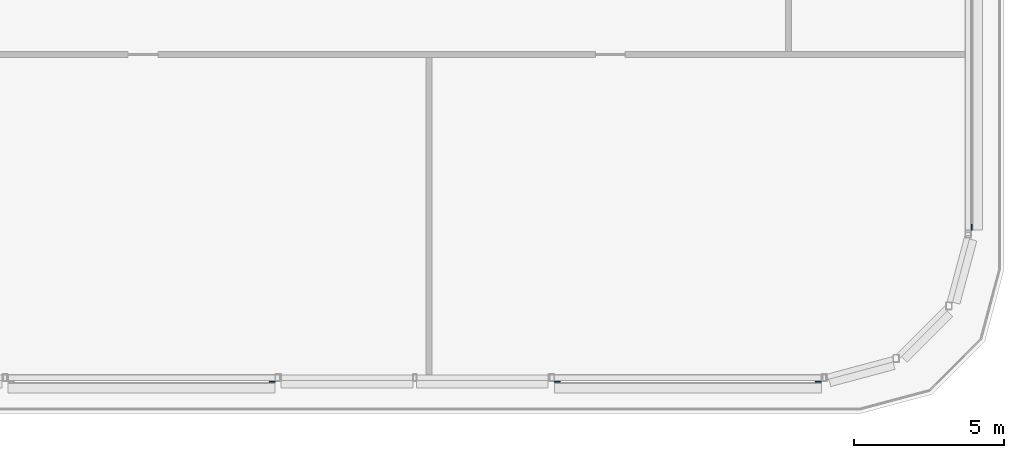
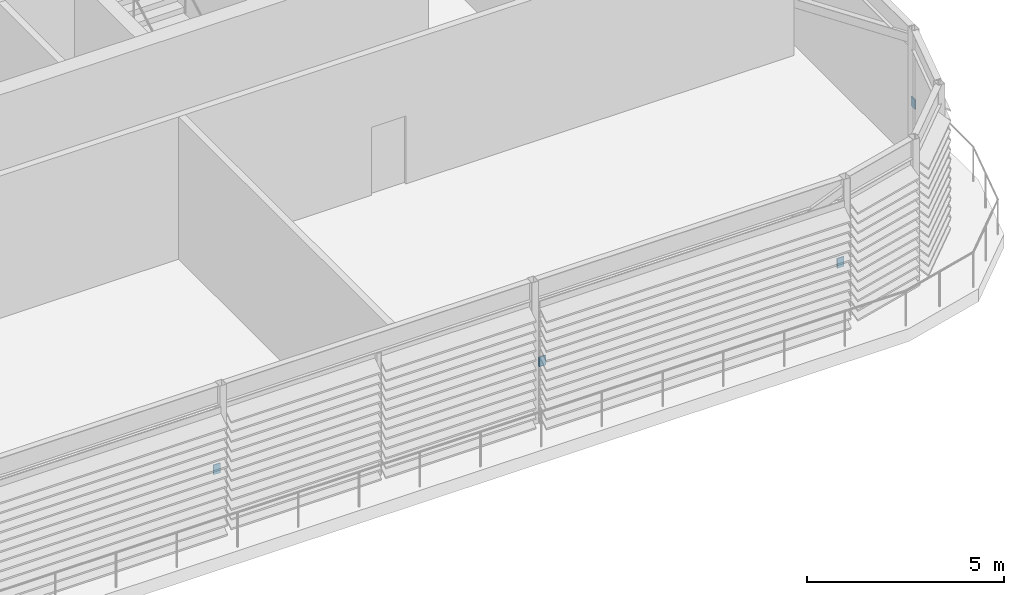
# One storey, part 21 of 29: 4 discrete accessories.
"""IFC4 building model written with IfcOpenShell, lengths in metres."""

from ifc_helpers import new_model, si_unit, direction, frame, origin, origin_2d, place, context, subcontext, project, spatial, rectangle, extrude, material, type_object, element, save


model = new_model("IFC4")

# Units and contexts
model_context = context("Model", 3, precision=1e-05, world=origin(), true_north=direction((0.0, 1.0)))
body_context = subcontext(model_context, "Body", "Model", "MODEL_VIEW")
ifc_project = project(units=[si_unit("LENGTHUNIT", "METRE"), si_unit("AREAUNIT", "SQUARE_METRE"), si_unit("VOLUMEUNIT", "CUBIC_METRE"), si_unit("PLANEANGLEUNIT", "RADIAN"), si_unit("MASSUNIT", "GRAM", prefix="KILO")], contexts=[model_context])

# Site, building, storey
site_placement = place(None, origin())
site = spatial("IfcSite", under=ifc_project, at=site_placement, CompositionType="ELEMENT")
building_placement = place(site_placement, origin())
building = spatial("IfcBuilding", under=site, at=building_placement, Name="Madar Terraces", CompositionType="ELEMENT")
storey_placement = place(building_placement, frame((0.0, 0.0, 296.300048828125)))
storey = spatial("IfcBuildingStorey", under=building, at=storey_placement, Name="L77", CompositionType="ELEMENT", Elevation=296.300048828125)

# Discrete accessories
ifc_material = material(Name="Steel, galvanised", Category="steel")
discrete_accessory_type = type_object("IfcDiscreteAccessoryType", Name="Louvre bank bracket", PredefinedType="BRACKET", material=ifc_material)
for number, where, z_axis, x_axis, name in (
    (1, (33.158447265625, 1.05810546875, 1.7490234375), (0.0, 0.0, 1.0), (1.0, 0.0, 0.0), "Louvre bank bracket"),
    (2, (42.681640625, 1.05810546875, 1.7490234375), (0.0, 0.0, 1.0), (1.0, 0.0, 0.0), "Louvre bank bracket"),
    (3, (51.3984375, 1.05810546875, 1.7490234375), (0.0, 0.0, 1.0), (1.0, 0.0, 0.0), "Louvre bank bracket"),
    (4, (56.5166015625, 6.22705078125, 1.7490234375), (0.0, 0.0, 1.0), (0.0, 1.0, 0.0), "Louvre bank bracket"),
):
    element("IfcDiscreteAccessory", number, at=place(storey_placement, frame(where, z_axis=z_axis, x_axis=x_axis)), inside=storey, type_object=discrete_accessory_type, Name=name, PredefinedType="BRACKET", context=body_context, shape_type="SweptSolid", body=[
        extrude(rectangle(XDim=0.199951171875, YDim=0.030029296875, at=origin_2d()), origin(), (0.0, 0.0, 1.0), 0.300048828125),
    ])

save(model, "model.ifc")
